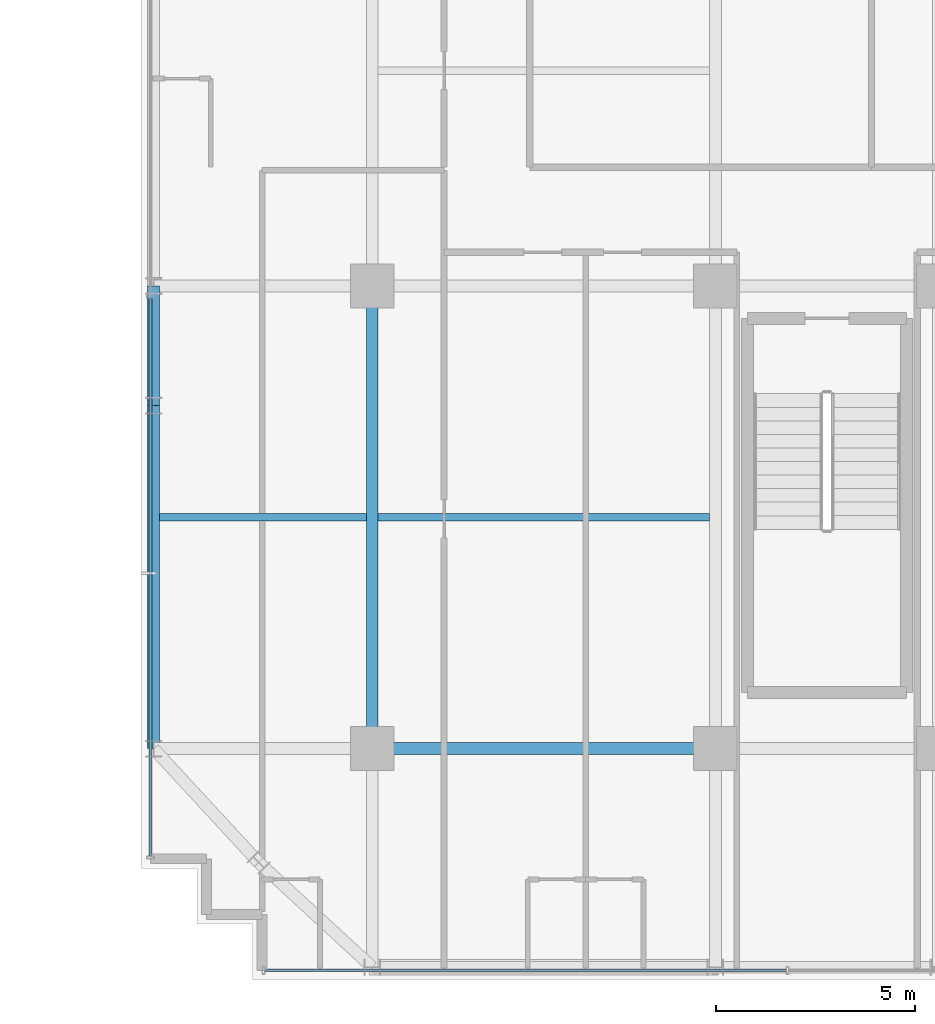
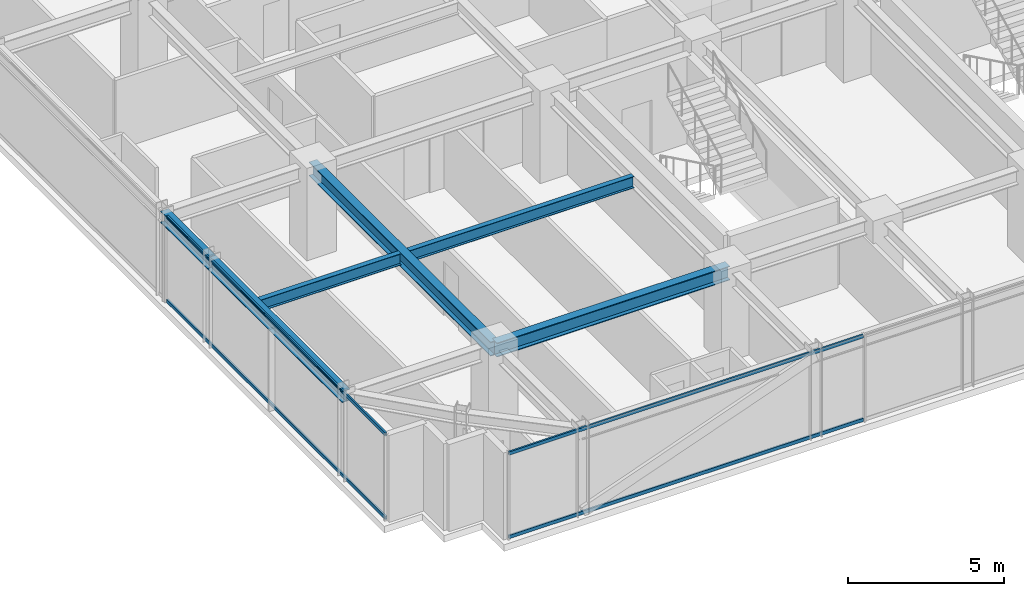
# One storey, part 3 of 32: 6 beams, 4 members, 2 elements without a shape of their own.
"""IFC4 building model written with IfcOpenShell, lengths in metres."""

from ifc_helpers import new_model, si_unit, direction, frame, origin, origin_2d, place, context, subcontext, project, spatial, hollow_rectangle, i_section, extrude, source, transform, mapped, material, material_profile, profile_set, type_object, element, aggregate, save


model = new_model("IFC4")

# Units and contexts
model_context = context("Model", 3, precision=1e-05, world=origin(), true_north=direction((0.0, 1.0)))
body_context = subcontext(model_context, "Body", "Model", "MODEL_VIEW")
ifc_project = project(units=[si_unit("LENGTHUNIT", "METRE"), si_unit("AREAUNIT", "SQUARE_METRE"), si_unit("VOLUMEUNIT", "CUBIC_METRE"), si_unit("PLANEANGLEUNIT", "RADIAN"), si_unit("MASSUNIT", "GRAM", prefix="KILO")], contexts=[model_context])

# Site, building, storey
site_placement = place(None, origin())
site = spatial("IfcSite", under=ifc_project, at=site_placement, CompositionType="ELEMENT")
building_placement = place(site_placement, origin())
building = spatial("IfcBuilding", under=site, at=building_placement, Name="Nahalor Promenade Grand Hotel", CompositionType="ELEMENT")
storey_placement = place(building_placement, frame((0.0, 0.0, 152.64990234375)))
storey = spatial("IfcBuildingStorey", under=building, at=storey_placement, Name="L38", CompositionType="ELEMENT", Elevation=152.64990234375)

# Beams
ifc_material_1 = material(Name="Steel S355JR", Category="steel")
ifc_material_profile_1 = material_profile(ifc_material_1, i_section(OverallWidth=0.3, OverallDepth=0.55, WebThickness=0.015, FlangeThickness=0.029, at=origin_2d()), Name="HEB 550")
ifc_profile_set_1 = profile_set([ifc_material_profile_1], Name="Steel S355JR")
beam_type_1 = type_object("IfcBeamType", Name="Beam-Girder-HEB550", PredefinedType="BEAM", material=ifc_profile_set_1)
shared_shape_1 = source(origin(), body_context, "Body", "SweptSolid", [
    extrude(i_section(OverallWidth=0.3, OverallDepth=0.55, WebThickness=0.015, FlangeThickness=0.029, at=origin_2d()), origin(), (0.0, 0.0, 1.0), 8.60009765625),
])
beam_1_placement = place(storey_placement, frame((-17.0, -17.0, 3.114990234375), z_axis=(1.0, 0.0, 0.0), x_axis=(0.0, 1.0, 0.0)))
element("IfcBeam", 1, at=beam_1_placement, inside=storey, type_object=beam_type_1, Name="BM-L38-GX-0-1", PredefinedType="BEAM", context=body_context, shape_type="MappedRepresentation", body=[
    mapped(shared_shape_1, transform((0.0, 0.0, 0.0), scale=1.0)),
])
shared_shape_2 = source(origin(), body_context, "Body", "SweptSolid", [
    extrude(i_section(OverallWidth=0.3, OverallDepth=0.55, WebThickness=0.015, FlangeThickness=0.029, at=origin_2d()), origin(), (0.0, 0.0, 1.0), 11.60009765625),
])
beam_2_placement = place(storey_placement, frame((-17.0, -17.0, 3.114990234375), z_axis=(0.0, 1.0, 0.0), x_axis=(-1.0, 0.0, 0.0)))
element("IfcBeam", 2, at=beam_2_placement, inside=storey, type_object=beam_type_1, Name="BM-L38-GY-0-1", PredefinedType="BEAM", context=body_context, shape_type="MappedRepresentation", body=[
    mapped(shared_shape_2, transform((0.0, 0.0, 0.0), scale=1.0)),
])
ifc_material_profile_2 = material_profile(ifc_material_1, i_section(OverallWidth=0.19, OverallDepth=0.45, WebThickness=0.0094, FlangeThickness=0.0146, at=origin_2d()), Name="IPE 450")
ifc_profile_set_2 = profile_set([ifc_material_profile_2], Name="Steel S355JR")
beam_type_2 = type_object("IfcBeamType", Name="Beam-Joist-IPE450", PredefinedType="JOIST", material=ifc_profile_set_2)
shared_shape_3 = source(origin(), body_context, "Body", "SweptSolid", [
    extrude(i_section(OverallWidth=0.19, OverallDepth=0.45, WebThickness=0.0094, FlangeThickness=0.0146, at=origin_2d()), origin(), (0.0, 0.0, 1.0), 8.300048828125),
])
beam_3_placement = place(storey_placement, frame((-16.85009765625, -11.199951171875, 3.1650390625), z_axis=(1.0, 0.0, 0.0), x_axis=(0.0, 1.0, 0.0)))
element("IfcBeam", 3, at=beam_3_placement, inside=storey, type_object=beam_type_2, Name="BM-L38-JSW-0-1", PredefinedType="JOIST", context=body_context, shape_type="MappedRepresentation", body=[
    mapped(shared_shape_3, transform((0.0, 0.0, 0.0), scale=1.0)),
])
shared_shape_4 = source(origin(), body_context, "Body", "SweptSolid", [
    extrude(i_section(OverallWidth=0.19, OverallDepth=0.45, WebThickness=0.0094, FlangeThickness=0.0146, at=origin_2d()), origin(), (0.0, 0.0, 1.0), 5.18017578125),
])
beam_4_placement = place(storey_placement, frame((-22.330078125, -11.199951171875, 3.1650390625), z_axis=(1.0, 0.0, 0.0), x_axis=(0.0, 1.0, 0.0)))
element("IfcBeam", 4, at=beam_4_placement, inside=storey, type_object=beam_type_2, Name="BM-L38-JSW-0-0", PredefinedType="JOIST", context=body_context, shape_type="MappedRepresentation", body=[
    mapped(shared_shape_4, transform((0.0, 0.0, 0.0), scale=1.0)),
])
ifc_material_profile_3 = material_profile(ifc_material_1, i_section(OverallWidth=0.3, OverallDepth=0.45, WebThickness=0.014, FlangeThickness=0.026, at=origin_2d()), Name="HEB 450")
ifc_profile_set_3 = profile_set([ifc_material_profile_3], Name="Steel S355JR")
beam_type_3 = type_object("IfcBeamType", Name="Beam-Spandrel-HEB450", PredefinedType="SPANDREL", material=ifc_profile_set_3)
shared_shape_5 = source(origin(), body_context, "Body", "SweptSolid", [
    extrude(i_section(OverallWidth=0.3, OverallDepth=0.45, WebThickness=0.014, FlangeThickness=0.026, at=origin_2d()), origin(), (0.0, 0.0, 1.0), 8.60009765625),
])
beam_5_placement = place(storey_placement, frame((-22.47998046875, -17.0, 3.1650390625), z_axis=(0.0, 1.0, 0.0), x_axis=(-1.0, 0.0, 0.0)))
element("IfcBeam", 5, at=beam_5_placement, inside=storey, type_object=beam_type_3, Name="BM-L38-SP-W-0", PredefinedType="SPANDREL", context=body_context, shape_type="MappedRepresentation", body=[
    mapped(shared_shape_5, transform((0.0, 0.0, 0.0), scale=1.0)),
])
shared_shape_6 = source(origin(), body_context, "Body", "SweptSolid", [
    extrude(i_section(OverallWidth=0.3, OverallDepth=0.45, WebThickness=0.014, FlangeThickness=0.026, at=origin_2d()), origin(), (0.0, 0.0, 1.0), 3.0),
])
beam_6_placement = place(storey_placement, frame((-22.47998046875, -8.39990234375, 3.1650390625), z_axis=(0.0, 1.0, 0.0), x_axis=(-1.0, 0.0, 0.0)))
element("IfcBeam", 6, at=beam_6_placement, inside=storey, type_object=beam_type_3, Name="BM-L38-SP-W-1", PredefinedType="SPANDREL", context=body_context, shape_type="MappedRepresentation", body=[
    mapped(shared_shape_6, transform((0.0, 0.0, 0.0), scale=1.0)),
])

# Curtain wall, members
ifc_material_2 = material(Name="Anodised Bronze Aluminium EN AW-6063 T6", Category="aluminium")
curtain_wall_type = type_object("IfcCurtainWallType", Name="CW2 Typical Hotel Flush Bronze Unitised Curtain Wall", PredefinedType="USERDEFINED", material=ifc_material_2)
curtain_wall_1_placement = place(storey_placement, origin())
curtain_wall_1 = element("IfcCurtainWall", 7, at=curtain_wall_1_placement, inside=storey, type_object=curtain_wall_type, Name="L38 Curtain Wall CW-L38-W-1", ObjectType="UNITISED_CURTAIN_WALL", PredefinedType="USERDEFINED")
ifc_material_profile_4 = material_profile(ifc_material_2, hollow_rectangle(XDim=0.065, YDim=0.13, WallThickness=0.004, at=origin_2d()), Name="CWT 65x130x4")
ifc_profile_set_4 = profile_set([ifc_material_profile_4], Name="Anodised Bronze Aluminium EN AW-6063 T6")
member_type = type_object("IfcMemberType", Name="CWT2 Typical Bronze Transom 65x130", PredefinedType="USERDEFINED", material=ifc_profile_set_4)
shared_shape_7 = source(origin(), body_context, "Body", "SweptSolid", [
    extrude(hollow_rectangle(XDim=0.065, YDim=0.13, WallThickness=0.004, at=origin_2d()), origin(), (0.0, 0.0, 1.0), 13.982666015625),
])
member_1_placement = place(storey_placement, frame((-22.56005859375, -19.695068359375, 0.065185546875), z_axis=(0.0, 1.0, 0.0), x_axis=(-1.0, 0.0, 0.0)))
member_1 = element("IfcMember", 8, at=member_1_placement, type_object=member_type, Name="CW-L38-W-1 Transom 0-0", ObjectType="TRANSOM", PredefinedType="USERDEFINED", context=body_context, shape_type="MappedRepresentation", body=[
    mapped(shared_shape_7, transform((0.0, 0.0, 0.0), scale=1.0)),
])
member_2_placement = place(storey_placement, frame((-22.56005859375, -19.695068359375, 3.3251953125), z_axis=(0.0, 1.0, 0.0), x_axis=(-1.0, 0.0, 0.0)))
member_2 = element("IfcMember", 9, at=member_2_placement, type_object=member_type, Name="CW-L38-W-1 Transom 0-1", ObjectType="TRANSOM", PredefinedType="USERDEFINED", context=body_context, shape_type="MappedRepresentation", body=[
    mapped(shared_shape_7, transform((0.0, 0.0, 0.0), scale=1.0)),
])
aggregate(curtain_wall_1, [member_1, member_2])

curtain_wall_2_placement = place(storey_placement, origin())
curtain_wall_2 = element("IfcCurtainWall", 10, at=curtain_wall_2_placement, inside=storey, type_object=curtain_wall_type, Name="L38 Curtain Wall CW-L38-S-1", ObjectType="UNITISED_CURTAIN_WALL", PredefinedType="USERDEFINED")
shared_shape_8 = source(origin(), body_context, "Body", "SweptSolid", [
    extrude(hollow_rectangle(XDim=0.065, YDim=0.13, WallThickness=0.004, at=origin_2d()), origin(), (0.0, 0.0, 1.0), 13.075927734375),
])
member_3_placement = place(storey_placement, frame((-19.695068359375, -22.56005859375, 0.065185546875), z_axis=(1.0, 0.0, 0.0), x_axis=(0.0, 1.0, 0.0)))
member_3 = element("IfcMember", 11, at=member_3_placement, type_object=member_type, Name="CW-L38-S-1 Transom 0-0", ObjectType="TRANSOM", PredefinedType="USERDEFINED", context=body_context, shape_type="MappedRepresentation", body=[
    mapped(shared_shape_8, transform((0.0, 0.0, 0.0), scale=1.0)),
])
member_4_placement = place(storey_placement, frame((-19.695068359375, -22.56005859375, 3.3251953125), z_axis=(1.0, 0.0, 0.0), x_axis=(0.0, 1.0, 0.0)))
member_4 = element("IfcMember", 12, at=member_4_placement, type_object=member_type, Name="CW-L38-S-1 Transom 0-1", ObjectType="TRANSOM", PredefinedType="USERDEFINED", context=body_context, shape_type="MappedRepresentation", body=[
    mapped(shared_shape_8, transform((0.0, 0.0, 0.0), scale=1.0)),
])
aggregate(curtain_wall_2, [member_3, member_4])

save(model, "model.ifc")
